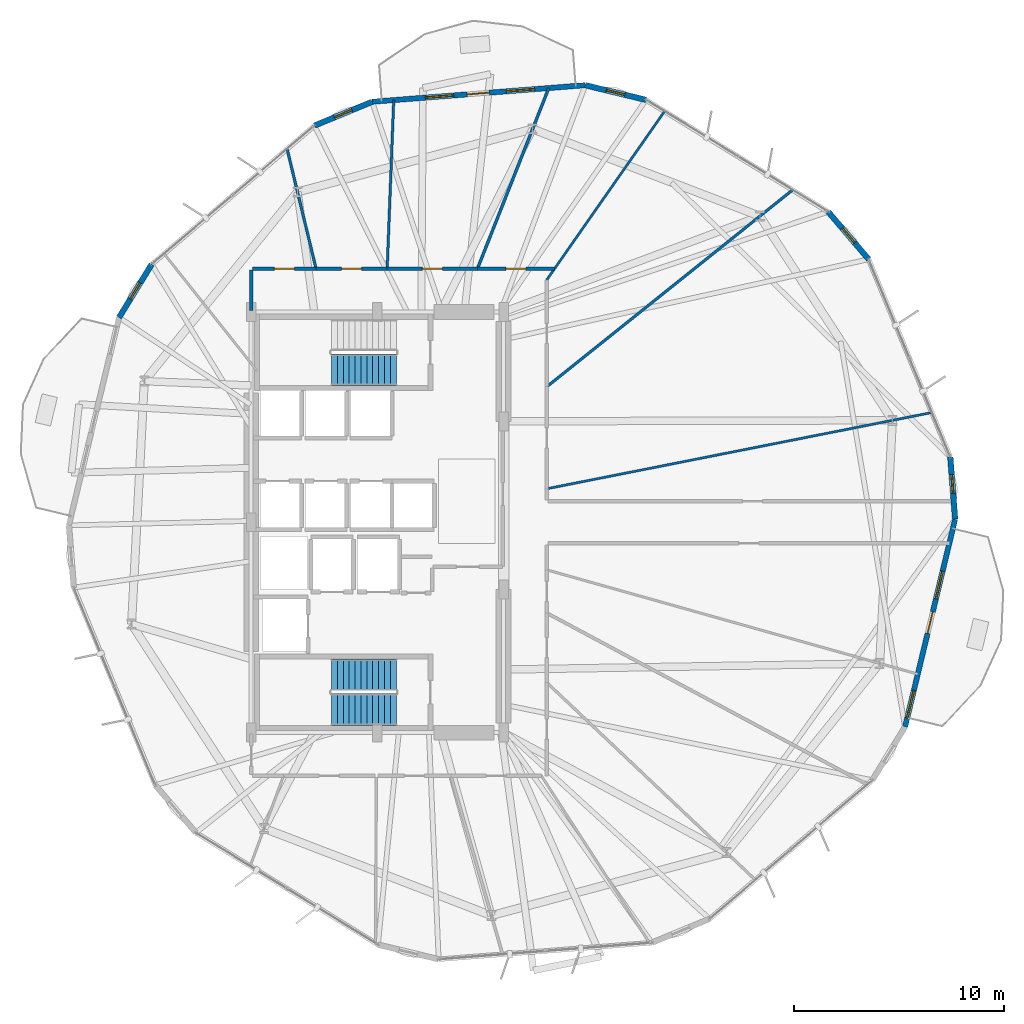
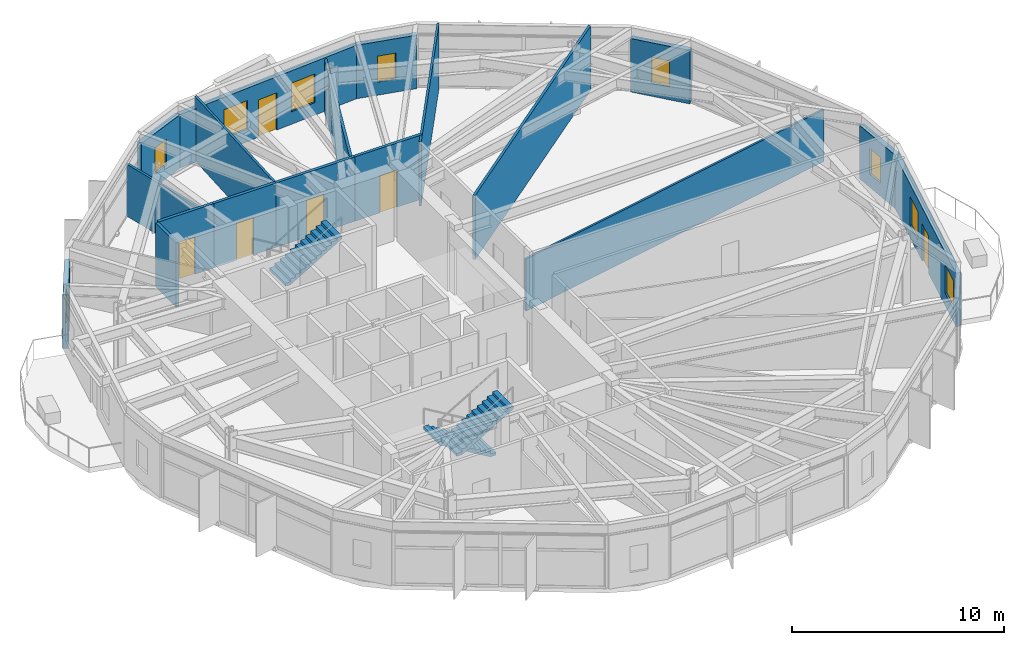
# One storey, part 18 of 22: 18 walls, 9 windows, 6 doors, 3 stair flights, 15 openings, 2 elements without a shape of their own.
"""IFC4 building model written with IfcOpenShell, lengths in metres."""

from ifc_helpers import new_model, si_unit, direction, frame, frame_2d, origin, place, context, subcontext, project, spatial, polyline, rectangle, outline, extrude, material, layer, layer_set, type_object, element, fill, aggregate, save


model = new_model("IFC4")

# Units and contexts
model_context = context("Model", 3, precision=1e-05, world=origin(), true_north=direction((0.0, 1.0)))
body_context = subcontext(model_context, "Body", "Model", "MODEL_VIEW")
ifc_project = project(units=[si_unit("LENGTHUNIT", "METRE"), si_unit("AREAUNIT", "SQUARE_METRE"), si_unit("VOLUMEUNIT", "CUBIC_METRE"), si_unit("PLANEANGLEUNIT", "RADIAN"), si_unit("MASSUNIT", "GRAM", prefix="KILO")], contexts=[model_context])

# Site, building, storey
site_placement = place(None, origin())
site = spatial("IfcSite", under=ifc_project, at=site_placement, CompositionType="ELEMENT")
building_placement = place(site_placement, origin())
building = spatial("IfcBuilding", under=site, at=building_placement, Name="Soratama Intermodal Tower", CompositionType="ELEMENT")
storey_placement = place(building_placement, frame((0.0, 0.0, 50.60009765625)))
storey = spatial("IfcBuildingStorey", under=building, at=storey_placement, Name="L11", CompositionType="ELEMENT", Elevation=50.60009765625)

# Wall, openings, door, windows
ifc_material_1 = material(Name="Concrete f'c 42 MPa", Category="concrete")
ifc_layer_1 = layer(ifc_material_1, 0.25)
ifc_layer_set_1 = layer_set([ifc_layer_1], Name="Concrete f'c 42 MPa")
wall_type_1 = type_object("IfcWallType", Name="EW-BAL-250", PredefinedType="SOLIDWALL", material=ifc_layer_set_1)
wall_1_placement = place(storey_placement, frame((48.48486328125, 45.77490234375, 0.0), z_axis=(0.0, 0.0, 1.0), x_axis=(-0.996997704041, -0.07743111866, 0.0)))
wall_1 = element("IfcWall", 1, at=wall_1_placement, inside=storey, type_object=wall_type_1, Name="L11 Terrace Wall F03", PredefinedType="SOLIDWALL", context=body_context, shape_type="SweptSolid", body=[
    extrude(rectangle(XDim=10.165283203125, YDim=0.25, at=frame_2d((5.08251953125, 0.0))), origin(), (0.0, 0.0, 1.0), 3.078857421875),
])
opening_1_placement = place(wall_1_placement, frame((4.58251953125, 0.0, 0.0)))
opening_1 = element("IfcOpeningElement", 2, at=opening_1_placement, cuts=wall_1, Name="Opening ED-5", PredefinedType="OPENING", context=body_context, shape_type="SweptSolid", body=[
    extrude(rectangle(XDim=1.050048828125, YDim=2.14990234375, at=frame_2d((0.52490234375, 1.074951171875))), frame((0.0, 0.135009765625, 0.0), z_axis=(0.0, -1.0, 0.0), x_axis=(1.0, 0.0, 0.0)), (0.0, 0.0, 1.0), 0.27001953125),
])
opening_2_placement = place(wall_1_placement, frame((2.4130859375, 0.0, 0.719970703125)))
opening_2 = element("IfcOpeningElement", 3, at=opening_2_placement, cuts=wall_1, Name="Opening WN-4", PredefinedType="OPENING", context=body_context, shape_type="SweptSolid", body=[
    extrude(rectangle(XDim=1.35009765625, YDim=1.64990234375, at=frame_2d((0.675048828125, 0.824951171875))), frame((0.0, 0.135009765625, 0.0), z_axis=(0.0, -1.0, 0.0), x_axis=(1.0, 0.0, 0.0)), (0.0, 0.0, 1.0), 0.27001953125),
])
opening_3_placement = place(wall_1_placement, frame((6.272705078125, 0.0, 0.719970703125)))
opening_3 = element("IfcOpeningElement", 4, at=opening_3_placement, cuts=wall_1, Name="Opening WN-4", PredefinedType="OPENING", context=body_context, shape_type="SweptSolid", body=[
    extrude(rectangle(XDim=1.35009765625, YDim=1.64990234375, at=frame_2d((0.675048828125, 0.824951171875))), frame((0.0, 0.135009765625, 0.0), z_axis=(0.0, -1.0, 0.0), x_axis=(1.0, 0.0, 0.0)), (0.0, 0.0, 1.0), 0.27001953125),
])
ifc_material_2 = material(Name="Double-glazed aluminium door", Category="aluminium")
door_type_1 = type_object("IfcDoorType", Name="DR-BAL-1050", OperationType="NOTDEFINED", PredefinedType="DOOR", material=ifc_material_2)
door_1_placement = place(opening_1_placement, origin())
door_1 = element("IfcDoor", 5, at=door_1_placement, inside=storey, type_object=door_type_1, Name="L11 Balcony Door F03", OperationType="SINGLE_SWING_LEFT", OverallHeight=2.14990234375, OverallWidth=1.050048828125, PredefinedType="DOOR", context=body_context, shape_type="SweptSolid", body=[
    extrude(rectangle(XDim=1.050048828125, YDim=2.14990234375, at=frame_2d((0.52490234375, 1.074951171875))), frame((0.0, 0.02490234375, 0.0), z_axis=(0.0, -1.0, 0.0), x_axis=(1.0, 0.0, 0.0)), (0.0, 0.0, 1.0), 0.050048828125),
])
fill(opening_1, door_1)
ifc_material_3 = material(Name="Double-glazed aluminium window", Category="aluminium")
window_type_1 = type_object("IfcWindowType", Name="WN-FAC-1350", PartitioningType="SINGLE_PANEL", PredefinedType="WINDOW", material=ifc_material_3)
window_1_placement = place(opening_2_placement, origin())
window_1 = element("IfcWindow", 6, at=window_1_placement, inside=storey, type_object=window_type_1, Name="L11 Window A F03", OverallHeight=1.64990234375, OverallWidth=1.35009765625, PartitioningType="SINGLE_PANEL", PredefinedType="WINDOW", context=body_context, shape_type="SweptSolid", body=[
    extrude(rectangle(XDim=1.35009765625, YDim=1.64990234375, at=frame_2d((0.675048828125, 0.824951171875))), frame((0.0, 0.030029296875, 0.0), z_axis=(0.0, -1.0, 0.0), x_axis=(1.0, 0.0, 0.0)), (0.0, 0.0, 1.0), 0.06005859375),
])
fill(opening_2, window_1)
window_2_placement = place(opening_3_placement, origin())
window_2 = element("IfcWindow", 7, at=window_2_placement, inside=storey, type_object=window_type_1, Name="L11 Window B F03", OverallHeight=1.64990234375, OverallWidth=1.35009765625, PartitioningType="SINGLE_PANEL", PredefinedType="WINDOW", context=body_context, shape_type="SweptSolid", body=[
    extrude(rectangle(XDim=1.35009765625, YDim=1.64990234375, at=frame_2d((0.675048828125, 0.824951171875))), frame((0.0, 0.030029296875, 0.0), z_axis=(0.0, -1.0, 0.0), x_axis=(1.0, 0.0, 0.0)), (0.0, 0.0, 1.0), 0.06005859375),
])
fill(opening_3, window_2)

wall_2_placement = place(storey_placement, frame((63.68115234375, 15.26611328125, 0.0), z_axis=(0.0, 0.0, 1.0), x_axis=(0.234457403368, 0.972126394049, 0.0)))
wall_2 = element("IfcWall", 8, at=wall_2_placement, inside=storey, type_object=wall_type_1, Name="L11 Terrace Wall F10", PredefinedType="SOLIDWALL", context=body_context, shape_type="SweptSolid", body=[
    extrude(rectangle(XDim=10.165283203125, YDim=0.25, at=frame_2d((5.08251953125, 0.0))), origin(), (0.0, 0.0, 1.0), 3.078857421875),
])
opening_4_placement = place(wall_2_placement, frame((4.58251953125, 0.0, 0.0)))
opening_4 = element("IfcOpeningElement", 9, at=opening_4_placement, cuts=wall_2, Name="Opening ED-5", PredefinedType="OPENING", context=body_context, shape_type="SweptSolid", body=[
    extrude(rectangle(XDim=1.050048828125, YDim=2.14990234375, at=frame_2d((0.52490234375, 1.074951171875))), frame((0.0, 0.135009765625, 0.0), z_axis=(0.0, -1.0, 0.0), x_axis=(1.0, 0.0, 0.0)), (0.0, 0.0, 1.0), 0.27001953125),
])
opening_5_placement = place(wall_2_placement, frame((0.43994140625, 0.0, 0.719970703125)))
opening_5 = element("IfcOpeningElement", 10, at=opening_5_placement, cuts=wall_2, Name="Opening WN-4", PredefinedType="OPENING", context=body_context, shape_type="SweptSolid", body=[
    extrude(rectangle(XDim=1.35009765625, YDim=1.64990234375, at=frame_2d((0.675048828125, 0.824951171875))), frame((0.0, 0.135009765625, 0.0), z_axis=(0.0, -1.0, 0.0), x_axis=(1.0, 0.0, 0.0)), (0.0, 0.0, 1.0), 0.27001953125),
])
opening_6_placement = place(wall_2_placement, frame((6.272705078125, 0.0, 0.719970703125)))
opening_6 = element("IfcOpeningElement", 11, at=opening_6_placement, cuts=wall_2, Name="Opening WN-4", PredefinedType="OPENING", context=body_context, shape_type="SweptSolid", body=[
    extrude(rectangle(XDim=1.35009765625, YDim=1.64990234375, at=frame_2d((0.675048828125, 0.824951171875))), frame((0.0, 0.135009765625, 0.0), z_axis=(0.0, -1.0, 0.0), x_axis=(1.0, 0.0, 0.0)), (0.0, 0.0, 1.0), 0.27001953125),
])
door_2_placement = place(opening_4_placement, origin())
door_2 = element("IfcDoor", 12, at=door_2_placement, inside=storey, type_object=door_type_1, Name="L11 Balcony Door F10", OperationType="SINGLE_SWING_RIGHT", OverallHeight=2.14990234375, OverallWidth=1.050048828125, PredefinedType="DOOR", context=body_context, shape_type="SweptSolid", body=[
    extrude(rectangle(XDim=1.050048828125, YDim=2.14990234375, at=frame_2d((0.52490234375, 1.074951171875))), frame((0.0, 0.02490234375, 0.0), z_axis=(0.0, -1.0, 0.0), x_axis=(1.0, 0.0, 0.0)), (0.0, 0.0, 1.0), 0.050048828125),
])
fill(opening_4, door_2)
window_3_placement = place(opening_5_placement, origin())
window_3 = element("IfcWindow", 13, at=window_3_placement, inside=storey, type_object=window_type_1, Name="L11 Window A F10", OverallHeight=1.64990234375, OverallWidth=1.35009765625, PartitioningType="SINGLE_PANEL", PredefinedType="WINDOW", context=body_context, shape_type="SweptSolid", body=[
    extrude(rectangle(XDim=1.35009765625, YDim=1.64990234375, at=frame_2d((0.675048828125, 0.824951171875))), frame((0.0, 0.030029296875, 0.0), z_axis=(0.0, -1.0, 0.0), x_axis=(1.0, 0.0, 0.0)), (0.0, 0.0, 1.0), 0.06005859375),
])
fill(opening_5, window_3)
window_4_placement = place(opening_6_placement, origin())
window_4 = element("IfcWindow", 14, at=window_4_placement, inside=storey, type_object=window_type_1, Name="L11 Window B F10", OverallHeight=1.64990234375, OverallWidth=1.35009765625, PartitioningType="SINGLE_PANEL", PredefinedType="WINDOW", context=body_context, shape_type="SweptSolid", body=[
    extrude(rectangle(XDim=1.35009765625, YDim=1.64990234375, at=frame_2d((0.675048828125, 0.824951171875))), frame((0.0, 0.030029296875, 0.0), z_axis=(0.0, -1.0, 0.0), x_axis=(1.0, 0.0, 0.0)), (0.0, 0.0, 1.0), 0.06005859375),
])
fill(opening_6, window_4)

# Wall, opening, window
ifc_material_4 = material(Name="Concrete f'c 42 MPa", Category="concrete")
ifc_layer_2 = layer(ifc_material_4, 0.27001953125)
ifc_layer_set_2 = layer_set([ifc_layer_2], Name="Concrete f'c 42 MPa")
wall_type_2 = type_object("IfcWallType", Name="EW-CRN-270", PredefinedType="SOLIDWALL", material=ifc_layer_set_2)
wall_3_placement = place(storey_placement, frame((61.95458984375, 37.5009765625, 0.0), z_axis=(0.0, 0.0, 1.0), x_axis=(-0.648613054241, 0.761118325799, 0.0)))
wall_3 = element("IfcWall", 15, at=wall_3_placement, inside=storey, type_object=wall_type_2, Name="L11 Corner Closure Wall 01", PredefinedType="SOLIDWALL", context=body_context, shape_type="SweptSolid", body=[
    extrude(rectangle(XDim=2.966552734375, YDim=0.27001953125, at=frame_2d((1.4833984375, 0.0))), origin(), (0.0, 0.0, 1.0), 3.078857421875),
])
opening_7_placement = place(wall_3_placement, frame((1.033203125, 0.0, 0.75)))
opening_7 = element("IfcOpeningElement", 16, at=opening_7_placement, cuts=wall_3, Name="Opening WN-6", PredefinedType="OPENING", context=body_context, shape_type="SweptSolid", body=[
    extrude(rectangle(XDim=0.89990234375, YDim=1.5, at=frame_2d((0.449951171875, 0.75))), frame((0.0, 0.14501953125, 0.0), z_axis=(0.0, -1.0, 0.0), x_axis=(1.0, 0.0, 0.0)), (0.0, 0.0, 1.0), 0.2900390625),
])
ifc_material_5 = material(Name="Double-glazed aluminium window", Category="aluminium")
window_type_2 = type_object("IfcWindowType", Name="WN-FAC-900", PartitioningType="SINGLE_PANEL", PredefinedType="WINDOW", material=ifc_material_5)
window_5_placement = place(opening_7_placement, origin())
window_5 = element("IfcWindow", 17, at=window_5_placement, inside=storey, type_object=window_type_2, Name="L11 Corner Window 01", OverallHeight=1.5, OverallWidth=0.89990234375, PartitioningType="SINGLE_PANEL", PredefinedType="WINDOW", context=body_context, shape_type="SweptSolid", body=[
    extrude(rectangle(XDim=0.89990234375, YDim=1.5, at=frame_2d((0.449951171875, 0.75))), frame((0.0, 0.030029296875, 0.0), z_axis=(0.0, -1.0, 0.0), x_axis=(1.0, 0.0, 0.0)), (0.0, 0.0, 1.0), 0.06005859375),
])
fill(opening_7, window_5)

wall_4_placement = place(storey_placement, frame((51.36865234375, 45.0791015625, 0.0), z_axis=(0.0, 0.0, 1.0), x_axis=(-0.972104212083, 0.234549356962, 0.0)))
wall_4 = element("IfcWall", 18, at=wall_4_placement, inside=storey, type_object=wall_type_2, Name="L11 Corner Closure Wall 02", PredefinedType="SOLIDWALL", context=body_context, shape_type="SweptSolid", body=[
    extrude(rectangle(XDim=2.966552734375, YDim=0.27001953125, at=frame_2d((1.4833984375, 0.0))), origin(), (0.0, 0.0, 1.0), 3.078857421875),
])
opening_8_placement = place(wall_4_placement, frame((1.033203125, 0.0, 0.75)))
opening_8 = element("IfcOpeningElement", 19, at=opening_8_placement, cuts=wall_4, Name="Opening WN-6", PredefinedType="OPENING", context=body_context, shape_type="SweptSolid", body=[
    extrude(rectangle(XDim=0.89990234375, YDim=1.5, at=frame_2d((0.449951171875, 0.75))), frame((0.0, 0.14501953125, 0.0), z_axis=(0.0, -1.0, 0.0), x_axis=(1.0, 0.0, 0.0)), (0.0, 0.0, 1.0), 0.2900390625),
])
window_6_placement = place(opening_8_placement, origin())
window_6 = element("IfcWindow", 20, at=window_6_placement, inside=storey, type_object=window_type_2, Name="L11 Corner Window 02", OverallHeight=1.5, OverallWidth=0.89990234375, PartitioningType="SINGLE_PANEL", PredefinedType="WINDOW", context=body_context, shape_type="SweptSolid", body=[
    extrude(rectangle(XDim=0.89990234375, YDim=1.5, at=frame_2d((0.449951171875, 0.75))), frame((0.0, 0.030029296875, 0.0), z_axis=(0.0, -1.0, 0.0), x_axis=(1.0, 0.0, 0.0)), (0.0, 0.0, 1.0), 0.06005859375),
])
fill(opening_8, window_6)

wall_5_placement = place(storey_placement, frame((38.35009765625, 44.98779296875, 0.0), z_axis=(0.0, 0.0, 1.0), x_axis=(-0.924287306496, -0.381697491544, 0.0)))
wall_5 = element("IfcWall", 21, at=wall_5_placement, inside=storey, type_object=wall_type_2, Name="L11 Corner Closure Wall 03", PredefinedType="SOLIDWALL", context=body_context, shape_type="SweptSolid", body=[
    extrude(rectangle(XDim=2.966552734375, YDim=0.27001953125, at=frame_2d((1.4833984375, 0.0))), origin(), (0.0, 0.0, 1.0), 3.078857421875),
])
opening_9_placement = place(wall_5_placement, frame((1.033203125, 0.0, 0.75)))
opening_9 = element("IfcOpeningElement", 22, at=opening_9_placement, cuts=wall_5, Name="Opening WN-6", PredefinedType="OPENING", context=body_context, shape_type="SweptSolid", body=[
    extrude(rectangle(XDim=0.89990234375, YDim=1.5, at=frame_2d((0.449951171875, 0.75))), frame((0.0, 0.14501953125, 0.0), z_axis=(0.0, -1.0, 0.0), x_axis=(1.0, 0.0, 0.0)), (0.0, 0.0, 1.0), 0.2900390625),
])
window_7_placement = place(opening_9_placement, origin())
window_7 = element("IfcWindow", 23, at=window_7_placement, inside=storey, type_object=window_type_2, Name="L11 Corner Window 03", OverallHeight=1.5, OverallWidth=0.89990234375, PartitioningType="SINGLE_PANEL", PredefinedType="WINDOW", context=body_context, shape_type="SweptSolid", body=[
    extrude(rectangle(XDim=0.89990234375, YDim=1.5, at=frame_2d((0.449951171875, 0.75))), frame((0.0, 0.030029296875, 0.0), z_axis=(0.0, -1.0, 0.0), x_axis=(1.0, 0.0, 0.0)), (0.0, 0.0, 1.0), 0.06005859375),
])
fill(opening_9, window_7)

wall_6_placement = place(storey_placement, frame((27.87158203125, 37.26171875, 0.0), z_axis=(0.0, 0.0, 1.0), x_axis=(-0.523399327402, -0.852087521371, 0.0)))
wall_6 = element("IfcWall", 24, at=wall_6_placement, inside=storey, type_object=wall_type_2, Name="L11 Corner Closure Wall 04", PredefinedType="SOLIDWALL", context=body_context, shape_type="SweptSolid", body=[
    extrude(rectangle(XDim=2.966552734375, YDim=0.27001953125, at=frame_2d((1.4833984375, 0.0))), origin(), (0.0, 0.0, 1.0), 3.078857421875),
])
opening_10_placement = place(wall_6_placement, frame((1.033203125, 0.0, 0.75)))
opening_10 = element("IfcOpeningElement", 25, at=opening_10_placement, cuts=wall_6, Name="Opening WN-6", PredefinedType="OPENING", context=body_context, shape_type="SweptSolid", body=[
    extrude(rectangle(XDim=0.89990234375, YDim=1.5, at=frame_2d((0.449951171875, 0.75))), frame((0.0, 0.14501953125, 0.0), z_axis=(0.0, -1.0, 0.0), x_axis=(1.0, 0.0, 0.0)), (0.0, 0.0, 1.0), 0.2900390625),
])
window_8_placement = place(opening_10_placement, origin())
window_8 = element("IfcWindow", 26, at=window_8_placement, inside=storey, type_object=window_type_2, Name="L11 Corner Window 04", OverallHeight=1.5, OverallWidth=0.89990234375, PartitioningType="SINGLE_PANEL", PredefinedType="WINDOW", context=body_context, shape_type="SweptSolid", body=[
    extrude(rectangle(XDim=0.89990234375, YDim=1.5, at=frame_2d((0.449951171875, 0.75))), frame((0.0, 0.030029296875, 0.0), z_axis=(0.0, -1.0, 0.0), x_axis=(1.0, 0.0, 0.0)), (0.0, 0.0, 1.0), 0.06005859375),
])
fill(opening_10, window_8)

wall_7_placement = place(storey_placement, frame((66.064453125, 25.14794921875, 0.0), z_axis=(0.0, 0.0, 1.0), x_axis=(-0.077363609715, 0.997002944776, 0.0)))
wall_7 = element("IfcWall", 27, at=wall_7_placement, inside=storey, type_object=wall_type_2, Name="L11 Corner Closure Wall 10", PredefinedType="SOLIDWALL", context=body_context, shape_type="SweptSolid", body=[
    extrude(rectangle(XDim=2.96630859375, YDim=0.27001953125, at=frame_2d((1.483154296875, 0.0))), origin(), (0.0, 0.0, 1.0), 3.078857421875),
])
opening_11_placement = place(wall_7_placement, frame((1.227783203125, 0.0, 0.75)))
opening_11 = element("IfcOpeningElement", 28, at=opening_11_placement, cuts=wall_7, Name="Opening WN-6", PredefinedType="OPENING", context=body_context, shape_type="SweptSolid", body=[
    extrude(rectangle(XDim=0.89990234375, YDim=1.5, at=frame_2d((0.449951171875, 0.75))), frame((0.0, 0.14501953125, 0.0), z_axis=(0.0, -1.0, 0.0), x_axis=(1.0, 0.0, 0.0)), (0.0, 0.0, 1.0), 0.2900390625),
])
window_9_placement = place(opening_11_placement, origin())
window_9 = element("IfcWindow", 29, at=window_9_placement, inside=storey, type_object=window_type_2, Name="L11 Corner Window 10", OverallHeight=1.5, OverallWidth=0.89990234375, PartitioningType="SINGLE_PANEL", PredefinedType="WINDOW", context=body_context, shape_type="SweptSolid", body=[
    extrude(rectangle(XDim=0.89990234375, YDim=1.5, at=frame_2d((0.449951171875, 0.75))), frame((0.0, 0.030029296875, 0.0), z_axis=(0.0, -1.0, 0.0), x_axis=(1.0, 0.0, 0.0)), (0.0, 0.0, 1.0), 0.06005859375),
])
fill(opening_11, window_9)

# Wall, opening, door
ifc_material_6 = material(Name="Fire-rated gypsum stud partition", Category="concrete")
ifc_layer_3 = layer(ifc_material_6, 0.159912109375)
ifc_layer_set_3 = layer_set([ifc_layer_3], Name="Fire-rated gypsum stud partition")
wall_type_3 = type_object("IfcWallType", Name="IW-PART-R160", PredefinedType="PARTITIONING", material=ifc_layer_set_3)
wall_8_placement = place(storey_placement, frame((39.06689453125, 37.050048828125, 0.0), z_axis=(0.0, 0.0, 1.0), x_axis=(1.0, 0.0, 0.0)))
wall_8 = element("IfcWall", 30, at=wall_8_placement, inside=storey, type_object=wall_type_3, Name="L11 Partition W-L11-TP023", PredefinedType="PARTITIONING", context=body_context, shape_type="SweptSolid", body=[
    extrude(rectangle(XDim=4.2900390625, YDim=0.159912109375, at=frame_2d((2.14501953125, 0.0))), origin(), (0.0, 0.0, 1.0), 3.699951171875),
])
opening_12_placement = place(wall_8_placement, frame((1.669921875, 0.0, 0.0)))
opening_12 = element("IfcOpeningElement", 31, at=opening_12_placement, cuts=wall_8, Name="Opening ID-3", PredefinedType="OPENING", context=body_context, shape_type="SweptSolid", body=[
    extrude(rectangle(XDim=0.949951171875, YDim=2.14990234375, at=frame_2d((0.47509765625, 1.074951171875))), frame((0.0, 0.08984375, 0.0), z_axis=(0.0, -1.0, 0.0), x_axis=(1.0, 0.0, 0.0)), (0.0, 0.0, 1.0), 0.179931640625),
])
ifc_material_7 = material(Name="Solid hardwood acoustic door", Category="wood")
door_type_2 = type_object("IfcDoorType", Name="DR-ROOM-950", OperationType="NOTDEFINED", PredefinedType="DOOR", material=ifc_material_7)
door_3_placement = place(opening_12_placement, origin())
door_3 = element("IfcDoor", 32, at=door_3_placement, inside=storey, type_object=door_type_2, Name="L11 Door D-L11-TP009", OperationType="SINGLE_SWING_RIGHT", OverallHeight=2.14990234375, OverallWidth=0.949951171875, PredefinedType="DOOR", context=body_context, shape_type="SweptSolid", body=[
    extrude(rectangle(XDim=0.949951171875, YDim=2.14990234375, at=frame_2d((0.47509765625, 1.074951171875))), frame((0.0, 0.02490234375, 0.0), z_axis=(0.0, -1.0, 0.0), x_axis=(1.0, 0.0, 0.0)), (0.0, 0.0, 1.0), 0.050048828125),
])
fill(opening_12, door_3)

wall_9_placement = place(storey_placement, frame((43.35693359375, 37.050048828125, 0.0), z_axis=(0.0, 0.0, 1.0), x_axis=(1.0, 0.0, 0.0)))
wall_9 = element("IfcWall", 33, at=wall_9_placement, inside=storey, type_object=wall_type_3, Name="L11 Partition W-L11-TP024", PredefinedType="PARTITIONING", context=body_context, shape_type="SweptSolid", body=[
    extrude(rectangle(XDim=3.6640625, YDim=0.159912109375, at=frame_2d((1.83203125, 0.0))), origin(), (0.0, 0.0, 1.0), 3.699951171875),
])
opening_13_placement = place(wall_9_placement, frame((1.35693359375, 0.0, 0.0)))
opening_13 = element("IfcOpeningElement", 34, at=opening_13_placement, cuts=wall_9, Name="Opening ID-3", PredefinedType="OPENING", context=body_context, shape_type="SweptSolid", body=[
    extrude(rectangle(XDim=0.949951171875, YDim=2.14990234375, at=frame_2d((0.47509765625, 1.074951171875))), frame((0.0, 0.08984375, 0.0), z_axis=(0.0, -1.0, 0.0), x_axis=(1.0, 0.0, 0.0)), (0.0, 0.0, 1.0), 0.179931640625),
])
door_4_placement = place(opening_13_placement, origin())
door_4 = element("IfcDoor", 35, at=door_4_placement, inside=storey, type_object=door_type_2, Name="L11 Door D-L11-TP010", OperationType="SINGLE_SWING_LEFT", OverallHeight=2.14990234375, OverallWidth=0.949951171875, PredefinedType="DOOR", context=body_context, shape_type="SweptSolid", body=[
    extrude(rectangle(XDim=0.949951171875, YDim=2.14990234375, at=frame_2d((0.47509765625, 1.074951171875))), frame((0.0, 0.02490234375, 0.0), z_axis=(0.0, -1.0, 0.0), x_axis=(1.0, 0.0, 0.0)), (0.0, 0.0, 1.0), 0.050048828125),
])
fill(opening_13, door_4)

wall_10_placement = place(storey_placement, frame((35.68701171875, 37.050048828125, 0.0), z_axis=(0.0, 0.0, 1.0), x_axis=(1.0, 0.0, 0.0)))
wall_10 = element("IfcWall", 36, at=wall_10_placement, inside=storey, type_object=wall_type_3, Name="L11 Partition W-L11-TP026", PredefinedType="PARTITIONING", context=body_context, shape_type="SweptSolid", body=[
    extrude(rectangle(XDim=3.3798828125, YDim=0.159912109375, at=frame_2d((1.68994140625, 0.0))), origin(), (0.0, 0.0, 1.0), 3.699951171875),
])
opening_14_placement = place(wall_10_placement, frame((1.215087890625, 0.0, 0.0)))
opening_14 = element("IfcOpeningElement", 37, at=opening_14_placement, cuts=wall_10, Name="Opening ID-3", PredefinedType="OPENING", context=body_context, shape_type="SweptSolid", body=[
    extrude(rectangle(XDim=0.949951171875, YDim=2.14990234375, at=frame_2d((0.47509765625, 1.074951171875))), frame((0.0, 0.08984375, 0.0), z_axis=(0.0, -1.0, 0.0), x_axis=(1.0, 0.0, 0.0)), (0.0, 0.0, 1.0), 0.179931640625),
])
door_5_placement = place(opening_14_placement, origin())
door_5 = element("IfcDoor", 38, at=door_5_placement, inside=storey, type_object=door_type_2, Name="L11 Door D-L11-TP012", OperationType="SINGLE_SWING_LEFT", OverallHeight=2.14990234375, OverallWidth=0.949951171875, PredefinedType="DOOR", context=body_context, shape_type="SweptSolid", body=[
    extrude(rectangle(XDim=0.949951171875, YDim=2.14990234375, at=frame_2d((0.47509765625, 1.074951171875))), frame((0.0, 0.02490234375, 0.0), z_axis=(0.0, -1.0, 0.0), x_axis=(1.0, 0.0, 0.0)), (0.0, 0.0, 1.0), 0.050048828125),
])
fill(opening_14, door_5)

wall_11_placement = place(storey_placement, frame((32.669921875, 37.050048828125, 0.0), z_axis=(0.0, 0.0, 1.0), x_axis=(1.0, 0.0, 0.0)))
wall_11 = element("IfcWall", 39, at=wall_11_placement, inside=storey, type_object=wall_type_3, Name="L11 Partition W-L11-TP029", PredefinedType="PARTITIONING", context=body_context, shape_type="SweptSolid", body=[
    extrude(rectangle(XDim=3.01708984375, YDim=0.159912109375, at=frame_2d((1.508544921875, 0.0))), origin(), (0.0, 0.0, 1.0), 3.699951171875),
])
opening_15_placement = place(wall_11_placement, frame((1.032958984375, 0.0, 0.0)))
opening_15 = element("IfcOpeningElement", 40, at=opening_15_placement, cuts=wall_11, Name="Opening ID-3", PredefinedType="OPENING", context=body_context, shape_type="SweptSolid", body=[
    extrude(rectangle(XDim=0.949951171875, YDim=2.14990234375, at=frame_2d((0.47509765625, 1.074951171875))), frame((0.0, 0.08984375, 0.0), z_axis=(0.0, -1.0, 0.0), x_axis=(1.0, 0.0, 0.0)), (0.0, 0.0, 1.0), 0.179931640625),
])
door_6_placement = place(opening_15_placement, origin())
door_6 = element("IfcDoor", 41, at=door_6_placement, inside=storey, type_object=door_type_2, Name="L11 Door D-L11-TP015", OperationType="SINGLE_SWING_RIGHT", OverallHeight=2.14990234375, OverallWidth=0.949951171875, PredefinedType="DOOR", context=body_context, shape_type="SweptSolid", body=[
    extrude(rectangle(XDim=0.949951171875, YDim=2.14990234375, at=frame_2d((0.47509765625, 1.074951171875))), frame((0.0, 0.02490234375, 0.0), z_axis=(0.0, -1.0, 0.0), x_axis=(1.0, 0.0, 0.0)), (0.0, 0.0, 1.0), 0.050048828125),
])
fill(opening_15, door_6)

# Walls
wall_12_placement = place(storey_placement, frame((32.60009765625, 35.070068359375, 0.0), z_axis=(0.0, 0.0, 1.0), x_axis=(0.0, 1.0, 0.0)))
element("IfcWall", 42, at=wall_12_placement, inside=storey, type_object=wall_type_3, Name="L11 Partition W-L11-TP032", PredefinedType="PARTITIONING", context=body_context, shape_type="SweptSolid", body=[
    extrude(rectangle(XDim=1.909912109375, YDim=0.159912109375, at=frame_2d((0.955078125, 0.0))), origin(), (0.0, 0.0, 1.0), 3.699951171875),
])
ifc_material_8 = material(Name="Fire-rated gypsum stud partition", Category="concrete")
ifc_layer_4 = layer(ifc_material_8, 0.110107421875)
ifc_layer_set_4 = layer_set([ifc_layer_4], Name="Fire-rated gypsum stud partition")
wall_type_4 = type_object("IfcWallType", Name="IW-PART-S110", PredefinedType="PARTITIONING", material=ifc_layer_set_4)
wall_13_placement = place(storey_placement, frame((46.64990234375, 26.593017578125, 0.0), z_axis=(0.0, 0.0, 1.0), x_axis=(0.980976030909, 0.194128892185, 0.0)))
element("IfcWall", 43, at=wall_13_placement, inside=storey, type_object=wall_type_4, Name="L11 Partition W-L11-TP003", PredefinedType="PARTITIONING", context=body_context, shape_type="SweptSolid", body=[
    extrude(rectangle(XDim=18.668212890625, YDim=0.110107421875, at=frame_2d((9.333984375, 0.0))), origin(), (0.0, 0.0, 1.0), 2.994873046875),
])
wall_14_placement = place(storey_placement, frame((46.64990234375, 36.51904296875, 0.0), z_axis=(0.0, 0.0, 1.0), x_axis=(0.572860774391, 0.819652690574, 0.0)))
element("IfcWall", 44, at=wall_14_placement, inside=storey, type_object=wall_type_4, Name="L11 Partition W-L11-TP008", PredefinedType="PARTITIONING", context=body_context, shape_type="SweptSolid", body=[
    extrude(rectangle(XDim=9.78076171875, YDim=0.110107421875, at=frame_2d((4.890380859375, 0.0))), origin(), (0.0, 0.0, 1.0), 3.699951171875),
])
ifc_material_9 = material(Name="Fire-rated gypsum stud partition", Category="concrete")
ifc_layer_5 = layer(ifc_material_9, 0.1201171875)
ifc_layer_set_5 = layer_set([ifc_layer_5], Name="Fire-rated gypsum stud partition")
wall_type_5 = type_object("IfcWallType", Name="IW-PART-S120", PredefinedType="PARTITIONING", material=ifc_layer_set_5)
wall_15_placement = place(storey_placement, frame((39.06689453125, 37.050048828125, 0.0), z_axis=(0.0, 0.0, 1.0), x_axis=(0.038762636896, 0.999248446574, 0.0)))
element("IfcWall", 45, at=wall_15_placement, inside=storey, type_object=wall_type_5, Name="L11 Partition W-L11-TP012", PredefinedType="PARTITIONING", context=body_context, shape_type="SweptSolid", body=[
    extrude(rectangle(XDim=8.024169921875, YDim=0.1201171875, at=frame_2d((4.01220703125, 0.0))), origin(), (0.0, 0.0, 1.0), 3.699951171875),
])
ifc_material_10 = material(Name="Fire-rated gypsum stud partition", Category="concrete")
ifc_layer_6 = layer(ifc_material_10, 0.1298828125)
ifc_layer_set_6 = layer_set([ifc_layer_6], Name="Fire-rated gypsum stud partition")
wall_type_6 = type_object("IfcWallType", Name="IW-PART-S130", PredefinedType="PARTITIONING", material=ifc_layer_set_6)
wall_16_placement = place(storey_placement, frame((46.64990234375, 31.44189453125, 0.0), z_axis=(0.0, 0.0, 1.0), x_axis=(0.780833810494, 0.624738793728, 0.0)))
element("IfcWall", 46, at=wall_16_placement, inside=storey, type_object=wall_type_6, Name="L11 Partition W-L11-TP006", PredefinedType="PARTITIONING", context=body_context, shape_type="SweptSolid", body=[
    extrude(rectangle(XDim=14.97265625, YDim=0.1298828125, at=frame_2d((7.486328125, 0.0))), origin(), (0.0, 0.0, 1.0), 3.699951171875),
])
wall_17_placement = place(storey_placement, frame((35.68701171875, 37.050048828125, 0.0), z_axis=(0.0, 0.0, 1.0), x_axis=(-0.235013634281, 0.971992073888, 0.0)))
element("IfcWall", 47, at=wall_17_placement, inside=storey, type_object=wall_type_6, Name="L11 Partition W-L11-TP016", PredefinedType="PARTITIONING", context=body_context, shape_type="SweptSolid", body=[
    extrude(rectangle(XDim=5.86328125, YDim=0.1298828125, at=frame_2d((2.931640625, 0.0))), origin(), (0.0, 0.0, 1.0), 2.994873046875),
])
ifc_material_11 = material(Name="Fire-rated gypsum stud partition", Category="concrete")
ifc_layer_7 = layer(ifc_material_11, 0.139892578125)
ifc_layer_set_7 = layer_set([ifc_layer_7], Name="Fire-rated gypsum stud partition")
wall_type_7 = type_object("IfcWallType", Name="IW-PART-S140", PredefinedType="PARTITIONING", material=ifc_layer_set_7)
wall_18_placement = place(storey_placement, frame((43.35693359375, 37.050048828125, 0.0), z_axis=(0.0, 0.0, 1.0), x_axis=(0.367202648998, 0.930140964891, 0.0)))
element("IfcWall", 48, at=wall_18_placement, inside=storey, type_object=wall_type_7, Name="L11 Partition W-L11-TP010", PredefinedType="PARTITIONING", context=body_context, shape_type="SweptSolid", body=[
    extrude(rectangle(XDim=9.235107421875, YDim=0.139892578125, at=frame_2d((4.61767578125, 0.0))), origin(), (0.0, 0.0, 1.0), 2.994873046875),
])

# Stair, stair flights
ifc_material_12 = material(Name="Concrete f'c 42 MPa", Category="concrete")
stair_type = type_object("IfcStairType", Name="ST-CORE-DOGLEG", PredefinedType="HALF_TURN_STAIR", material=ifc_material_12)
stair_1_placement = place(storey_placement, origin())
stair_1 = element("IfcStair", 49, at=stair_1_placement, inside=storey, type_object=stair_type, Name="L11 ST-1", PredefinedType="HALF_TURN_STAIR")
ifc_material_13 = material(Name="Precast concrete f'c 40 MPa", Category="concrete")
ifc_layer_8 = layer(ifc_material_13, 0.199951171875)
ifc_layer_set_8 = layer_set([ifc_layer_8], Name="Precast concrete f'c 40 MPa")
stair_flight_type = type_object("IfcStairFlightType", Name="SF-FLIGHT-RC", PredefinedType="STRAIGHT", material=ifc_layer_set_8)
stair_flight_1_placement = place(storey_placement, frame((39.5, 17.75, 0.0), z_axis=(0.0, 0.0, 1.0), x_axis=(-1.0, 0.0, 0.0)))
stair_flight_1 = element("IfcStairFlight", 50, at=stair_flight_1_placement, type_object=stair_flight_type, Name="ST-1 flight 1", NumberOfRisers=12, NumberOfTreads=11, PredefinedType="STRAIGHT", RiserHeight=0.166666667, TreadLength=0.28, context=body_context, shape_type="SweptSolid", body=[
    extrude(outline(polyline([(0.0, 0.0), (0.0, 0.166748046875), (0.280029296875, 0.166748046875), (0.280029296875, 0.333251953125), (0.56005859375, 0.333251953125), (0.56005859375, 0.5), (0.840087890625, 0.5), (0.840087890625, 0.666748046875), (1.1201171875, 0.666748046875), (1.1201171875, 0.833251953125), (1.39990234375, 0.833251953125), (1.39990234375, 1.0), (1.679931640625, 1.0), (1.679931640625, 1.166748046875), (1.9599609375, 1.166748046875), (1.9599609375, 1.333251953125), (2.239990234375, 1.333251953125), (2.239990234375, 1.5), (2.52001953125, 1.5), (2.52001953125, 1.666748046875), (2.800048828125, 1.666748046875), (2.800048828125, 1.833251953125), (3.080078125, 1.833251953125), (3.080078125, 2.0), (3.080078125, 1.658935546875), (0.29296875, 0.0), (0.0, 0.0)])), frame((0.0, 0.75, 0.0), z_axis=(0.0, -1.0, 0.0), x_axis=(1.0, 0.0, 0.0)), (0.0, 0.0, 1.0), 1.5),
])
stair_flight_2_placement = place(storey_placement, frame((36.419921875, 16.10009765625, 2.0), z_axis=(0.0, 0.0, 1.0), x_axis=(1.0, 0.0, 0.0)))
stair_flight_2 = element("IfcStairFlight", 51, at=stair_flight_2_placement, type_object=stair_flight_type, Name="ST-1 flight 2", NumberOfRisers=12, NumberOfTreads=11, PredefinedType="STRAIGHT", RiserHeight=0.166666667, TreadLength=0.28, context=body_context, shape_type="SweptSolid", body=[
    extrude(outline(polyline([(0.0, 0.0), (0.0, 0.166748046875), (0.280029296875, 0.166748046875), (0.280029296875, 0.333251953125), (0.56005859375, 0.333251953125), (0.56005859375, 0.5), (0.840087890625, 0.5), (0.840087890625, 0.666748046875), (1.1201171875, 0.666748046875), (1.1201171875, 0.833251953125), (1.39990234375, 0.833251953125), (1.39990234375, 1.0), (1.679931640625, 1.0), (1.679931640625, 1.166748046875), (1.9599609375, 1.166748046875), (1.9599609375, 1.333251953125), (2.239990234375, 1.333251953125), (2.239990234375, 1.5), (2.52001953125, 1.5), (2.52001953125, 1.666748046875), (2.800048828125, 1.666748046875), (2.800048828125, 1.833251953125), (3.080078125, 1.833251953125), (3.080078125, 2.0), (3.080078125, 1.658935546875), (0.29296875, 0.0), (0.0, 0.0)])), frame((0.0, 0.75, 0.0), z_axis=(0.0, -1.0, 0.0), x_axis=(1.0, 0.0, 0.0)), (0.0, 0.0, 1.0), 1.5),
])
aggregate(stair_1, [stair_flight_1, stair_flight_2])

# Stair, stair flight
stair_2_placement = place(storey_placement, origin())
stair_2 = element("IfcStair", 52, at=stair_2_placement, inside=storey, type_object=stair_type, Name="L11 ST-2", PredefinedType="HALF_TURN_STAIR")
stair_flight_3_placement = place(storey_placement, frame((36.419921875, 32.25, 2.0), z_axis=(0.0, 0.0, 1.0), x_axis=(1.0, 0.0, 0.0)))
stair_flight_3 = element("IfcStairFlight", 53, at=stair_flight_3_placement, type_object=stair_flight_type, Name="ST-2 flight 2", NumberOfRisers=12, NumberOfTreads=11, PredefinedType="STRAIGHT", RiserHeight=0.166666667, TreadLength=0.28, context=body_context, shape_type="SweptSolid", body=[
    extrude(outline(polyline([(0.0, 0.0), (0.0, 0.166748046875), (0.280029296875, 0.166748046875), (0.280029296875, 0.333251953125), (0.56005859375, 0.333251953125), (0.56005859375, 0.5), (0.840087890625, 0.5), (0.840087890625, 0.666748046875), (1.1201171875, 0.666748046875), (1.1201171875, 0.833251953125), (1.39990234375, 0.833251953125), (1.39990234375, 1.0), (1.679931640625, 1.0), (1.679931640625, 1.166748046875), (1.9599609375, 1.166748046875), (1.9599609375, 1.333251953125), (2.239990234375, 1.333251953125), (2.239990234375, 1.5), (2.52001953125, 1.5), (2.52001953125, 1.666748046875), (2.800048828125, 1.666748046875), (2.800048828125, 1.833251953125), (3.080078125, 1.833251953125), (3.080078125, 2.0), (3.080078125, 1.658935546875), (0.29296875, 0.0), (0.0, 0.0)])), frame((0.0, 0.75, 0.0), z_axis=(0.0, -1.0, 0.0), x_axis=(1.0, 0.0, 0.0)), (0.0, 0.0, 1.0), 1.5),
])
aggregate(stair_2, [stair_flight_3])

save(model, "model.ifc")
